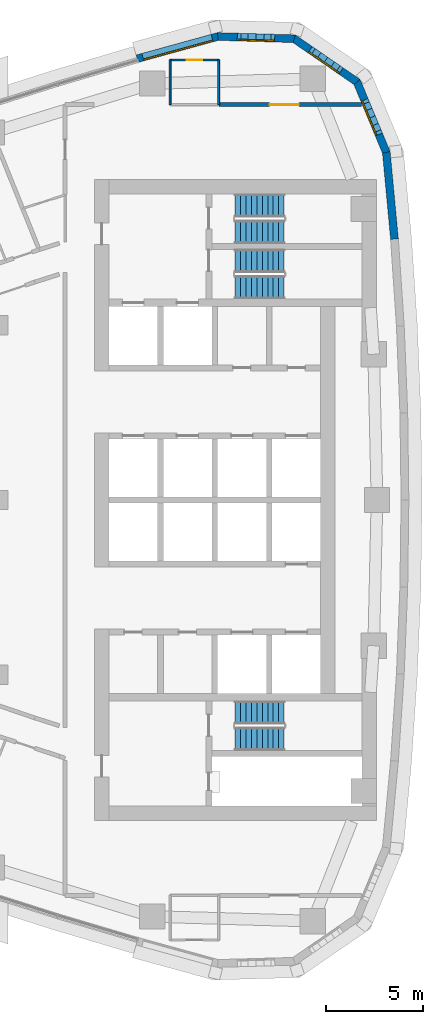
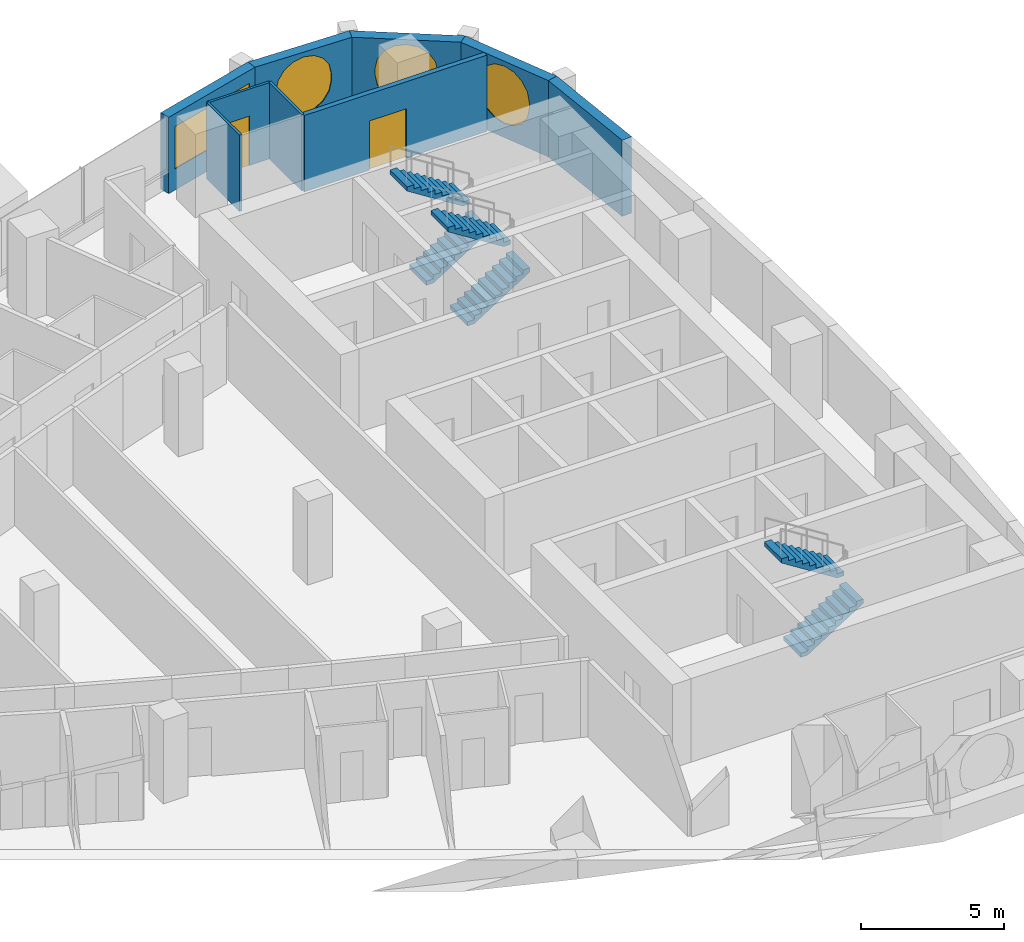
# One storey, part 13 of 17: 9 walls, 6 stair flights, 4 windows, 2 doors, 6 openings, 3 elements without a shape of their own.
"""IFC4 building model written with IfcOpenShell, lengths in metres."""

from ifc_helpers import new_model, si_unit, direction, frame, frame_2d, origin, place, context, subcontext, project, spatial, polyline, rectangle, outline, extrude, material, layer, layer_set, type_object, element, fill, aggregate, save


model = new_model("IFC4")

# Units and contexts
model_context = context("Model", 3, precision=1e-05, world=origin(), true_north=direction((0.0, 1.0)))
body_context = subcontext(model_context, "Body", "Model", "MODEL_VIEW")
ifc_project = project(units=[si_unit("LENGTHUNIT", "METRE"), si_unit("AREAUNIT", "SQUARE_METRE"), si_unit("VOLUMEUNIT", "CUBIC_METRE"), si_unit("PLANEANGLEUNIT", "RADIAN"), si_unit("MASSUNIT", "GRAM", prefix="KILO")], contexts=[model_context])

# Site, building, storey
site_placement = place(None, origin())
site = spatial("IfcSite", under=ifc_project, at=site_placement, CompositionType="ELEMENT")
building_placement = place(site_placement, origin())
building = spatial("IfcBuilding", under=site, at=building_placement, Name="Ostrand Prow Hotel Tower", CompositionType="ELEMENT")
storey_placement = place(building_placement, frame((0.0, 0.0, 179.050048828125)))
storey = spatial("IfcBuildingStorey", under=building, at=storey_placement, Name="L44", CompositionType="ELEMENT", Elevation=179.050048828125)

# Wall, opening, door
ifc_material_1 = material(Name="Plasterboard partition")
ifc_layer_1 = layer(ifc_material_1, 0.10009765625)
ifc_layer_set_1 = layer_set([ifc_layer_1], Name="Plasterboard partition")
wall_type_1 = type_object("IfcWallType", Name="Partition 100 bathroom wall", PredefinedType="PARTITIONING", material=ifc_layer_set_1)
wall_1_placement = place(storey_placement, frame((53.85009765625, 22.64990234375, 0.0), z_axis=(0.0, 0.0, 1.0), x_axis=(1.0, 0.0, 0.0)))
wall_1 = element("IfcWall", 1, at=wall_1_placement, inside=storey, type_object=wall_type_1, Name="BATHROOM WALL", PredefinedType="PARTITIONING", context=body_context, shape_type="SweptSolid", body=[
    extrude(rectangle(XDim=2.5, YDim=0.10009765625, at=frame_2d((1.25, 0.0))), origin(), (0.0, 0.0, 1.0), 3.25),
])
opening_1_placement = place(wall_1_placement, frame((0.85009765625, 0.0, 0.0)))
opening_1 = element("IfcOpeningElement", 2, at=opening_1_placement, cuts=wall_1, Name="Opening D2", PredefinedType="OPENING", context=body_context, shape_type="SweptSolid", body=[
    extrude(rectangle(XDim=0.800048828125, YDim=2.10009765625, at=frame_2d((0.39990234375, 1.050048828125))), frame((0.0, 0.06005859375, 0.0), z_axis=(0.0, -1.0, 0.0), x_axis=(1.0, 0.0, 0.0)), (0.0, 0.0, 1.0), 0.1201171875),
])
ifc_material_2 = material(Name="Timber door leaf", Category="wood")
door_type_1 = type_object("IfcDoorType", Name="Bathroom door 800", OperationType="SINGLE_SWING_LEFT", PredefinedType="DOOR", material=ifc_material_2)
door_1_placement = place(opening_1_placement, origin())
door_1 = element("IfcDoor", 3, at=door_1_placement, inside=storey, type_object=door_type_1, Name="DOOR", OperationType="SINGLE_SWING_LEFT", OverallHeight=2.10009765625, OverallWidth=0.800048828125, PredefinedType="DOOR", context=body_context, shape_type="SweptSolid", body=[
    extrude(rectangle(XDim=0.800048828125, YDim=2.10009765625, at=frame_2d((0.39990234375, 1.050048828125))), frame((0.0, 0.02490234375, 0.0), z_axis=(0.0, -1.0, 0.0), x_axis=(1.0, 0.0, 0.0)), (0.0, 0.0, 1.0), 0.050048828125),
])
fill(opening_1, door_1)

# Walls
for number, where, z_axis, x_axis, name in (
    (4, (56.35009765625, 22.64990234375, 0.0), (0.0, 0.0, 1.0), (0.0, -1.0, 0.0), "BATHROOM WALL"),
    (5, (53.85009765625, 20.35009765625, 0.0), (0.0, 0.0, 1.0), (0.0, 1.0, 0.0), "BATHROOM WALL"),
):
    element("IfcWall", number, at=place(storey_placement, frame(where, z_axis=z_axis, x_axis=x_axis)), inside=storey, type_object=wall_type_1, Name=name, PredefinedType="PARTITIONING", context=body_context, shape_type="SweptSolid", body=[
        extrude(rectangle(XDim=2.2998046875, YDim=0.10009765625, at=frame_2d((1.14990234375, 0.0))), origin(), (0.0, 0.0, 1.0), 3.25),
    ])

# Wall, opening, door
ifc_material_3 = material(Name="Plasterboard partition")
ifc_layer_2 = layer(ifc_material_3, 0.199951171875)
ifc_layer_set_2 = layer_set([ifc_layer_2], Name="Plasterboard partition")
wall_type_2 = type_object("IfcWallType", Name="Partition 200 corridor wall", PredefinedType="PARTITIONING", material=ifc_layer_set_2)
wall_2_placement = place(storey_placement, frame((63.70947265625, 20.35498046875, 0.0), z_axis=(0.0, 0.0, 1.0), x_axis=(-1.0, 0.0, 0.0)))
wall_2 = element("IfcWall", 6, at=wall_2_placement, inside=storey, type_object=wall_type_2, Name="CORRIDOR WALL", PredefinedType="PARTITIONING", context=body_context, shape_type="SweptSolid", body=[
    extrude(rectangle(XDim=7.3544921875, YDim=0.199951171875, at=frame_2d((3.67724609375, 0.0))), origin(), (0.0, 0.0, 1.0), 3.25),
])
opening_2_placement = place(wall_2_placement, frame((3.230712890625, 0.0, 0.0)))
opening_2 = element("IfcOpeningElement", 7, at=opening_2_placement, cuts=wall_2, Name="Opening D15", PredefinedType="OPENING", context=body_context, shape_type="SweptSolid", body=[
    extrude(rectangle(XDim=1.5, YDim=2.10009765625, at=frame_2d((0.75, 1.050048828125))), frame((0.0, 0.10986328125, 0.0), z_axis=(0.0, -1.0, 0.0), x_axis=(1.0, 0.0, 0.0)), (0.0, 0.0, 1.0), 0.219970703125),
])
ifc_material_4 = material(Name="Timber door leaf", Category="wood")
door_type_2 = type_object("IfcDoorType", Name="Double door 1500", OperationType="DOUBLE_DOOR_SINGLE_SWING", PredefinedType="DOOR", material=ifc_material_4)
door_2_placement = place(opening_2_placement, origin())
door_2 = element("IfcDoor", 8, at=door_2_placement, inside=storey, type_object=door_type_2, Name="DOOR", OperationType="DOUBLE_DOOR_SINGLE_SWING", OverallHeight=2.10009765625, OverallWidth=1.5, PredefinedType="DOOR", context=body_context, shape_type="SweptSolid", body=[
    extrude(rectangle(XDim=1.5, YDim=2.10009765625, at=frame_2d((0.75, 1.050048828125))), frame((0.0, 0.02490234375, 0.0), z_axis=(0.0, -1.0, 0.0), x_axis=(1.0, 0.0, 0.0)), (0.0, 0.0, 1.0), 0.050048828125),
])
fill(opening_2, door_2)

# Wall
ifc_material_5 = material(Name="Precast concrete C40/50", Category="concrete")
ifc_layer_3 = layer(ifc_material_5, 0.39990234375)
ifc_layer_set_3 = layer_set([ifc_layer_3], Name="Precast concrete C40/50")
wall_type_3 = type_object("IfcWallType", Name="Stone-faced precast wall 400 mm", PredefinedType="NOTDEFINED", material=ifc_layer_set_3)
wall_3_placement = place(storey_placement, frame((65.400634765625, 13.4287109375, 0.0), z_axis=(0.0, 0.0, 1.0), x_axis=(-0.093605694738, 0.995609348044, 0.0)))
element("IfcWall", 9, at=wall_3_placement, inside=storey, type_object=wall_type_3, Name="Stone-faced wall back 12", PredefinedType="NOTDEFINED", context=body_context, shape_type="SweptSolid", body=[
    extrude(outline(polyline([(-0.002685546875, -0.199951171875), (4.51123046875, -0.199951171875), (4.45068359375, 0.199951171875), (0.002685546875, 0.199951171875), (-0.002685546875, -0.199951171875)])), origin(), (0.0, 0.0, 1.0), 3.25),
])

# Wall, opening, window
wall_4_placement = place(storey_placement, frame((64.981201171875, 17.889892578125, 0.0), z_axis=(0.0, 0.0, 1.0), x_axis=(-0.383997619794, 0.923334082547, 0.0)))
wall_4 = element("IfcWall", 10, at=wall_4_placement, inside=storey, type_object=wall_type_3, Name="Stone-faced wall back 13", PredefinedType="NOTDEFINED", context=body_context, shape_type="SweptSolid", body=[
    extrude(outline(polyline([(-0.0302734375, -0.199951171875), (3.98828125, -0.199951171875), (3.8701171875, 0.199951171875), (0.0302734375, 0.199951171875), (-0.0302734375, -0.199951171875)])), origin(), (0.0, 0.0, 1.0), 3.25),
])
opening_3_placement = place(wall_4_placement, frame((0.864501953125, 0.0, 0.60009765625)))
opening_3 = element("IfcOpeningElement", 11, at=opening_3_placement, cuts=wall_4, Name="Opening WP1", PredefinedType="OPENING", context=body_context, shape_type="SweptSolid", body=[
    extrude(outline(polyline([(0.0, 1.35009765625), (0.083740234375, 1.77099609375), (0.322265625, 2.127685546875), (0.678955078125, 2.3662109375), (1.10009765625, 2.449951171875), (1.52099609375, 2.3662109375), (1.877685546875, 2.127685546875), (2.1162109375, 1.77099609375), (2.199951171875, 1.35009765625), (2.199951171875, 1.10009765625), (2.1162109375, 0.678955078125), (1.877685546875, 0.322265625), (1.52099609375, 0.083740234375), (1.10009765625, 0.0), (0.678955078125, 0.083740234375), (0.322265625, 0.322265625), (0.083740234375, 0.678955078125), (0.0, 1.099853515625), (0.0, 1.35009765625)])), frame((0.0, 0.2099609375, 0.0), z_axis=(0.0, -1.0, 0.0), x_axis=(1.0, 0.0, 0.0)), (0.0, 0.0, 1.0), 0.419921875),
])
ifc_material_6 = material(Name="Insulated glass in bronze frame", Category="glass")
window_type_1 = type_object("IfcWindowType", Name="Round-ended prow window 2200x2450", PartitioningType="SINGLE_PANEL", PredefinedType="WINDOW", material=ifc_material_6)
window_1_placement = place(opening_3_placement, origin())
window_1 = element("IfcWindow", 12, at=window_1_placement, inside=storey, type_object=window_type_1, Name="Window back 13.1", OverallHeight=2.449951171875, OverallWidth=2.199951171875, PartitioningType="SINGLE_PANEL", PredefinedType="WINDOW", context=body_context, shape_type="SweptSolid", body=[
    extrude(outline(polyline([(0.0, 1.35009765625), (0.083740234375, 1.77099609375), (0.322265625, 2.127685546875), (0.678955078125, 2.3662109375), (1.10009765625, 2.449951171875), (1.52099609375, 2.3662109375), (1.877685546875, 2.127685546875), (2.1162109375, 1.77099609375), (2.199951171875, 1.35009765625), (2.199951171875, 1.10009765625), (2.1162109375, 0.678955078125), (1.877685546875, 0.322265625), (1.52099609375, 0.083740234375), (1.10009765625, 0.0), (0.678955078125, 0.083740234375), (0.322265625, 0.322265625), (0.083740234375, 0.678955078125), (0.0, 1.099853515625), (0.0, 1.35009765625)])), frame((0.0, 0.169921875, 0.0), z_axis=(0.0, -1.0, 0.0), x_axis=(1.0, 0.0, 0.0)), (0.0, 0.0, 1.0), 0.06005859375),
])
fill(opening_3, window_1)

wall_5_placement = place(storey_placement, frame((63.472412109375, 21.517822265625, 0.0), z_axis=(0.0, 0.0, 1.0), x_axis=(-0.823806162588, 0.566871596115, 0.0)))
wall_5 = element("IfcWall", 13, at=wall_5_placement, inside=storey, type_object=wall_type_3, Name="Stone-faced wall back 14", PredefinedType="NOTDEFINED", context=body_context, shape_type="SweptSolid", body=[
    extrude(outline(polyline([(-0.05908203125, -0.199951171875), (3.98828125, -0.199951171875), (3.8701171875, 0.199951171875), (0.05908203125, 0.199951171875), (-0.05908203125, -0.199951171875)])), origin(), (0.0, 0.0, 1.0), 3.25),
])
opening_4_placement = place(wall_5_placement, frame((0.864501953125, 0.0, 0.60009765625)))
opening_4 = element("IfcOpeningElement", 14, at=opening_4_placement, cuts=wall_5, Name="Opening WP1", PredefinedType="OPENING", context=body_context, shape_type="SweptSolid", body=[
    extrude(outline(polyline([(0.0, 1.35009765625), (0.083740234375, 1.77099609375), (0.322265625, 2.127685546875), (0.678955078125, 2.3662109375), (1.10009765625, 2.449951171875), (1.52099609375, 2.3662109375), (1.877685546875, 2.127685546875), (2.1162109375, 1.77099609375), (2.199951171875, 1.35009765625), (2.199951171875, 1.10009765625), (2.1162109375, 0.678955078125), (1.877685546875, 0.322265625), (1.52099609375, 0.083740234375), (1.10009765625, 0.0), (0.678955078125, 0.083740234375), (0.322265625, 0.322265625), (0.083740234375, 0.678955078125), (0.0, 1.099853515625), (0.0, 1.35009765625)])), frame((0.0, 0.2099609375, 0.0), z_axis=(0.0, -1.0, 0.0), x_axis=(1.0, 0.0, 0.0)), (0.0, 0.0, 1.0), 0.419921875),
])
window_2_placement = place(opening_4_placement, origin())
window_2 = element("IfcWindow", 15, at=window_2_placement, inside=storey, type_object=window_type_1, Name="Window back 14.1", OverallHeight=2.449951171875, OverallWidth=2.199951171875, PartitioningType="SINGLE_PANEL", PredefinedType="WINDOW", context=body_context, shape_type="SweptSolid", body=[
    extrude(outline(polyline([(0.0, 1.35009765625), (0.083740234375, 1.77099609375), (0.322265625, 2.127685546875), (0.678955078125, 2.3662109375), (1.10009765625, 2.449951171875), (1.52099609375, 2.3662109375), (1.877685546875, 2.127685546875), (2.1162109375, 1.77099609375), (2.199951171875, 1.35009765625), (2.199951171875, 1.10009765625), (2.1162109375, 0.678955078125), (1.877685546875, 0.322265625), (1.52099609375, 0.083740234375), (1.10009765625, 0.0), (0.678955078125, 0.083740234375), (0.322265625, 0.322265625), (0.083740234375, 0.678955078125), (0.0, 1.099853515625), (0.0, 1.35009765625)])), frame((0.0, 0.169921875, 0.0), z_axis=(0.0, -1.0, 0.0), x_axis=(1.0, 0.0, 0.0)), (0.0, 0.0, 1.0), 0.06005859375),
])
fill(opening_4, window_2)

wall_6_placement = place(storey_placement, frame((60.235595703125, 23.7451171875, 0.0), z_axis=(0.0, 0.0, 1.0), x_axis=(-0.999587920197, 0.028705222472, 0.0)))
wall_6 = element("IfcWall", 16, at=wall_6_placement, inside=storey, type_object=wall_type_3, Name="Stone-faced wall back 15", PredefinedType="NOTDEFINED", context=body_context, shape_type="SweptSolid", body=[
    extrude(outline(polyline([(-0.05908203125, -0.199951171875), (3.959228515625, -0.199951171875), (3.899658203125, 0.199951171875), (0.05908203125, 0.199951171875), (-0.05908203125, -0.199951171875)])), origin(), (0.0, 0.0, 1.0), 3.25),
])
opening_5_placement = place(wall_6_placement, frame((0.864501953125, 0.0, 0.60009765625)))
opening_5 = element("IfcOpeningElement", 17, at=opening_5_placement, cuts=wall_6, Name="Opening WP1", PredefinedType="OPENING", context=body_context, shape_type="SweptSolid", body=[
    extrude(outline(polyline([(0.0, 1.35009765625), (0.083740234375, 1.77099609375), (0.322265625, 2.127685546875), (0.678955078125, 2.3662109375), (1.10009765625, 2.449951171875), (1.52099609375, 2.3662109375), (1.877685546875, 2.127685546875), (2.1162109375, 1.77099609375), (2.199951171875, 1.35009765625), (2.199951171875, 1.10009765625), (2.1162109375, 0.678955078125), (1.877685546875, 0.322265625), (1.52099609375, 0.083740234375), (1.10009765625, 0.0), (0.678955078125, 0.083740234375), (0.322265625, 0.322265625), (0.083740234375, 0.678955078125), (0.0, 1.099853515625), (0.0, 1.35009765625)])), frame((0.0, 0.2099609375, 0.0), z_axis=(0.0, -1.0, 0.0), x_axis=(1.0, 0.0, 0.0)), (0.0, 0.0, 1.0), 0.419921875),
])
window_3_placement = place(opening_5_placement, origin())
window_3 = element("IfcWindow", 18, at=window_3_placement, inside=storey, type_object=window_type_1, Name="Window back 15.1", OverallHeight=2.449951171875, OverallWidth=2.199951171875, PartitioningType="SINGLE_PANEL", PredefinedType="WINDOW", context=body_context, shape_type="SweptSolid", body=[
    extrude(outline(polyline([(0.0, 1.35009765625), (0.083740234375, 1.77099609375), (0.322265625, 2.127685546875), (0.678955078125, 2.3662109375), (1.10009765625, 2.449951171875), (1.52099609375, 2.3662109375), (1.877685546875, 2.127685546875), (2.1162109375, 1.77099609375), (2.199951171875, 1.35009765625), (2.199951171875, 1.10009765625), (2.1162109375, 0.678955078125), (1.877685546875, 0.322265625), (1.52099609375, 0.083740234375), (1.10009765625, 0.0), (0.678955078125, 0.083740234375), (0.322265625, 0.322265625), (0.083740234375, 0.678955078125), (0.0, 1.099853515625), (0.0, 1.35009765625)])), frame((0.0, 0.169921875, 0.0), z_axis=(0.0, -1.0, 0.0), x_axis=(1.0, 0.0, 0.0)), (0.0, 0.0, 1.0), 0.06005859375),
])
fill(opening_5, window_3)

wall_7_placement = place(storey_placement, frame((56.307861328125, 23.85791015625, 0.0), z_axis=(0.0, 0.0, 1.0), x_axis=(-0.964205755089, -0.265155165617, 0.0)))
wall_7 = element("IfcWall", 19, at=wall_7_placement, inside=storey, type_object=wall_type_3, Name="Stone-faced wall back 16", PredefinedType="NOTDEFINED", context=body_context, shape_type="SweptSolid", body=[
    extrude(outline(polyline([(-0.02978515625, -0.199951171875), (4.30712890625, -0.199951171875), (4.30712890625, 0.199951171875), (0.02978515625, 0.199951171875), (-0.02978515625, -0.199951171875)])), origin(), (0.0, 0.0, 1.0), 3.25),
])
opening_6_placement = place(wall_7_placement, frame((0.303466796875, 0.0, 0.89990234375)))
opening_6 = element("IfcOpeningElement", 20, at=opening_6_placement, cuts=wall_7, Name="Opening WS3-37", PredefinedType="OPENING", context=body_context, shape_type="SweptSolid", body=[
    extrude(rectangle(XDim=3.699951171875, YDim=1.800048828125, at=frame_2d((1.85009765625, 0.89990234375))), frame((0.0, 0.2099609375, 0.0), z_axis=(0.0, -1.0, 0.0), x_axis=(1.0, 0.0, 0.0)), (0.0, 0.0, 1.0), 0.419921875),
])
ifc_material_7 = material(Name="Insulated glass in bronze frame", Category="glass")
window_type_2 = type_object("IfcWindowType", Name="Strip window 3700x1800", PartitioningType="SINGLE_PANEL", PredefinedType="WINDOW", material=ifc_material_7)
window_4_placement = place(opening_6_placement, origin())
window_4 = element("IfcWindow", 21, at=window_4_placement, inside=storey, type_object=window_type_2, Name="Window back 16.1", OverallHeight=1.800048828125, OverallWidth=3.699951171875, PartitioningType="SINGLE_PANEL", PredefinedType="WINDOW", context=body_context, shape_type="SweptSolid", body=[
    extrude(rectangle(XDim=3.699951171875, YDim=1.800048828125, at=frame_2d((1.85009765625, 0.89990234375))), frame((0.0, 0.169921875, 0.0), z_axis=(0.0, -1.0, 0.0), x_axis=(1.0, 0.0, 0.0)), (0.0, 0.0, 1.0), 0.06005859375),
])
fill(opening_6, window_4)

# Stair, stair flights
ifc_material_8 = material(Name="Concrete C40/50", Category="concrete")
stair_type = type_object("IfcStairType", Name="Exit stair 1200 upper zone", PredefinedType="HALF_TURN_STAIR", material=ifc_material_8)
stair_1_placement = place(storey_placement, origin())
stair_1 = element("IfcStair", 22, at=stair_1_placement, inside=storey, type_object=stair_type, Name="L44 ST1C", PredefinedType="HALF_TURN_STAIR")
ifc_material_9 = material(Name="Concrete C40/50", Category="concrete")
stair_flight_type = type_object("IfcStairFlightType", Name="Stair flight 1200 concrete", PredefinedType="STRAIGHT", material=ifc_material_9)
stair_flight_1_placement = place(storey_placement, frame((57.199951171875, 10.949951171875, 0.0), z_axis=(0.0, 0.0, 1.0), x_axis=(1.0, 0.0, 0.0)))
stair_flight_1 = element("IfcStairFlight", 23, at=stair_flight_1_placement, type_object=stair_flight_type, Name="ST1C flight 1", NumberOfRisers=10, NumberOfTreads=9, PredefinedType="STRAIGHT", RiserHeight=0.1775, TreadLength=0.28, context=body_context, shape_type="SweptSolid", body=[
    extrude(outline(polyline([(0.0, 0.0), (0.0, 0.177490234375), (0.280029296875, 0.177490234375), (0.280029296875, 0.35498046875), (0.56005859375, 0.35498046875), (0.56005859375, 0.532470703125), (0.840087890625, 0.532470703125), (0.840087890625, 0.7099609375), (1.1201171875, 0.7099609375), (1.1201171875, 0.887451171875), (1.39990234375, 0.887451171875), (1.39990234375, 1.06494140625), (1.679931640625, 1.06494140625), (1.679931640625, 1.242431640625), (1.9599609375, 1.242431640625), (1.9599609375, 1.419921875), (2.239990234375, 1.419921875), (2.239990234375, 1.597412109375), (2.52001953125, 1.597412109375), (2.52001953125, 1.77490234375), (2.52001953125, 1.419921875), (0.280029296875, 0.0), (0.0, 0.0)])), frame((0.0, 0.60009765625, 0.0), z_axis=(0.0, -1.0, 0.0), x_axis=(1.0, 0.0, 0.0)), (0.0, 0.0, 1.0), 1.199951171875),
])
stair_flight_2_placement = place(storey_placement, frame((59.719970703125, 12.300048828125, 1.77490234375), z_axis=(0.0, 0.0, 1.0), x_axis=(-1.0, 0.0, 0.0)))
stair_flight_2 = element("IfcStairFlight", 24, at=stair_flight_2_placement, type_object=stair_flight_type, Name="ST1C flight 2", NumberOfRisers=10, NumberOfTreads=9, PredefinedType="STRAIGHT", RiserHeight=0.1775, TreadLength=0.28, context=body_context, shape_type="SweptSolid", body=[
    extrude(outline(polyline([(0.0, 0.0), (0.0, 0.177490234375), (0.280029296875, 0.177490234375), (0.280029296875, 0.35498046875), (0.56005859375, 0.35498046875), (0.56005859375, 0.532470703125), (0.840087890625, 0.532470703125), (0.840087890625, 0.7099609375), (1.1201171875, 0.7099609375), (1.1201171875, 0.887451171875), (1.39990234375, 0.887451171875), (1.39990234375, 1.06494140625), (1.679931640625, 1.06494140625), (1.679931640625, 1.242431640625), (1.9599609375, 1.242431640625), (1.9599609375, 1.419921875), (2.239990234375, 1.419921875), (2.239990234375, 1.597412109375), (2.52001953125, 1.597412109375), (2.52001953125, 1.77490234375), (2.52001953125, 1.419921875), (0.280029296875, 0.0), (0.0, 0.0)])), frame((0.0, 0.60009765625, 0.0), z_axis=(0.0, -1.0, 0.0), x_axis=(1.0, 0.0, 0.0)), (0.0, 0.0, 1.0), 1.199951171875),
])
aggregate(stair_1, [stair_flight_1, stair_flight_2])

stair_2_placement = place(storey_placement, origin())
stair_2 = element("IfcStair", 25, at=stair_2_placement, inside=storey, type_object=stair_type, Name="L44 ST3C", PredefinedType="HALF_TURN_STAIR")
stair_flight_3_placement = place(storey_placement, frame((57.199951171875, 13.800048828125, 0.0), z_axis=(0.0, 0.0, 1.0), x_axis=(1.0, 0.0, 0.0)))
stair_flight_3 = element("IfcStairFlight", 26, at=stair_flight_3_placement, type_object=stair_flight_type, Name="ST3C flight 1", NumberOfRisers=10, NumberOfTreads=9, PredefinedType="STRAIGHT", RiserHeight=0.1775, TreadLength=0.28, context=body_context, shape_type="SweptSolid", body=[
    extrude(outline(polyline([(0.0, 0.0), (0.0, 0.177490234375), (0.280029296875, 0.177490234375), (0.280029296875, 0.35498046875), (0.56005859375, 0.35498046875), (0.56005859375, 0.532470703125), (0.840087890625, 0.532470703125), (0.840087890625, 0.7099609375), (1.1201171875, 0.7099609375), (1.1201171875, 0.887451171875), (1.39990234375, 0.887451171875), (1.39990234375, 1.06494140625), (1.679931640625, 1.06494140625), (1.679931640625, 1.242431640625), (1.9599609375, 1.242431640625), (1.9599609375, 1.419921875), (2.239990234375, 1.419921875), (2.239990234375, 1.597412109375), (2.52001953125, 1.597412109375), (2.52001953125, 1.77490234375), (2.52001953125, 1.419921875), (0.280029296875, 0.0), (0.0, 0.0)])), frame((0.0, 0.60009765625, 0.0), z_axis=(0.0, -1.0, 0.0), x_axis=(1.0, 0.0, 0.0)), (0.0, 0.0, 1.0), 1.199951171875),
])
stair_flight_4_placement = place(storey_placement, frame((59.719970703125, 15.14990234375, 1.77490234375), z_axis=(0.0, 0.0, 1.0), x_axis=(-1.0, 0.0, 0.0)))
stair_flight_4 = element("IfcStairFlight", 27, at=stair_flight_4_placement, type_object=stair_flight_type, Name="ST3C flight 2", NumberOfRisers=10, NumberOfTreads=9, PredefinedType="STRAIGHT", RiserHeight=0.1775, TreadLength=0.28, context=body_context, shape_type="SweptSolid", body=[
    extrude(outline(polyline([(0.0, 0.0), (0.0, 0.177490234375), (0.280029296875, 0.177490234375), (0.280029296875, 0.35498046875), (0.56005859375, 0.35498046875), (0.56005859375, 0.532470703125), (0.840087890625, 0.532470703125), (0.840087890625, 0.7099609375), (1.1201171875, 0.7099609375), (1.1201171875, 0.887451171875), (1.39990234375, 0.887451171875), (1.39990234375, 1.06494140625), (1.679931640625, 1.06494140625), (1.679931640625, 1.242431640625), (1.9599609375, 1.242431640625), (1.9599609375, 1.419921875), (2.239990234375, 1.419921875), (2.239990234375, 1.597412109375), (2.52001953125, 1.597412109375), (2.52001953125, 1.77490234375), (2.52001953125, 1.419921875), (0.280029296875, 0.0), (0.0, 0.0)])), frame((0.0, 0.60009765625, 0.0), z_axis=(0.0, -1.0, 0.0), x_axis=(1.0, 0.0, 0.0)), (0.0, 0.0, 1.0), 1.199951171875),
])
aggregate(stair_2, [stair_flight_3, stair_flight_4])

stair_3_placement = place(storey_placement, origin())
stair_3 = element("IfcStair", 28, at=stair_3_placement, inside=storey, type_object=stair_type, Name="L44 ST2C", PredefinedType="HALF_TURN_STAIR")
stair_flight_5_placement = place(storey_placement, frame((57.199951171875, -12.300048828125, 0.0), z_axis=(0.0, 0.0, 1.0), x_axis=(1.0, 0.0, 0.0)))
stair_flight_5 = element("IfcStairFlight", 29, at=stair_flight_5_placement, type_object=stair_flight_type, Name="ST2C flight 1", NumberOfRisers=10, NumberOfTreads=9, PredefinedType="STRAIGHT", RiserHeight=0.1775, TreadLength=0.28, context=body_context, shape_type="SweptSolid", body=[
    extrude(outline(polyline([(0.0, 0.0), (0.0, 0.177490234375), (0.280029296875, 0.177490234375), (0.280029296875, 0.35498046875), (0.56005859375, 0.35498046875), (0.56005859375, 0.532470703125), (0.840087890625, 0.532470703125), (0.840087890625, 0.7099609375), (1.1201171875, 0.7099609375), (1.1201171875, 0.887451171875), (1.39990234375, 0.887451171875), (1.39990234375, 1.06494140625), (1.679931640625, 1.06494140625), (1.679931640625, 1.242431640625), (1.9599609375, 1.242431640625), (1.9599609375, 1.419921875), (2.239990234375, 1.419921875), (2.239990234375, 1.597412109375), (2.52001953125, 1.597412109375), (2.52001953125, 1.77490234375), (2.52001953125, 1.419921875), (0.280029296875, 0.0), (0.0, 0.0)])), frame((0.0, 0.60009765625, 0.0), z_axis=(0.0, -1.0, 0.0), x_axis=(1.0, 0.0, 0.0)), (0.0, 0.0, 1.0), 1.199951171875),
])
stair_flight_6_placement = place(storey_placement, frame((59.719970703125, -10.949951171875, 1.77490234375), z_axis=(0.0, 0.0, 1.0), x_axis=(-1.0, 0.0, 0.0)))
stair_flight_6 = element("IfcStairFlight", 30, at=stair_flight_6_placement, type_object=stair_flight_type, Name="ST2C flight 2", NumberOfRisers=10, NumberOfTreads=9, PredefinedType="STRAIGHT", RiserHeight=0.1775, TreadLength=0.28, context=body_context, shape_type="SweptSolid", body=[
    extrude(outline(polyline([(0.0, 0.0), (0.0, 0.177490234375), (0.280029296875, 0.177490234375), (0.280029296875, 0.35498046875), (0.56005859375, 0.35498046875), (0.56005859375, 0.532470703125), (0.840087890625, 0.532470703125), (0.840087890625, 0.7099609375), (1.1201171875, 0.7099609375), (1.1201171875, 0.887451171875), (1.39990234375, 0.887451171875), (1.39990234375, 1.06494140625), (1.679931640625, 1.06494140625), (1.679931640625, 1.242431640625), (1.9599609375, 1.242431640625), (1.9599609375, 1.419921875), (2.239990234375, 1.419921875), (2.239990234375, 1.597412109375), (2.52001953125, 1.597412109375), (2.52001953125, 1.77490234375), (2.52001953125, 1.419921875), (0.280029296875, 0.0), (0.0, 0.0)])), frame((0.0, 0.60009765625, 0.0), z_axis=(0.0, -1.0, 0.0), x_axis=(1.0, 0.0, 0.0)), (0.0, 0.0, 1.0), 1.199951171875),
])
aggregate(stair_3, [stair_flight_5, stair_flight_6])

save(model, "model.ifc")
